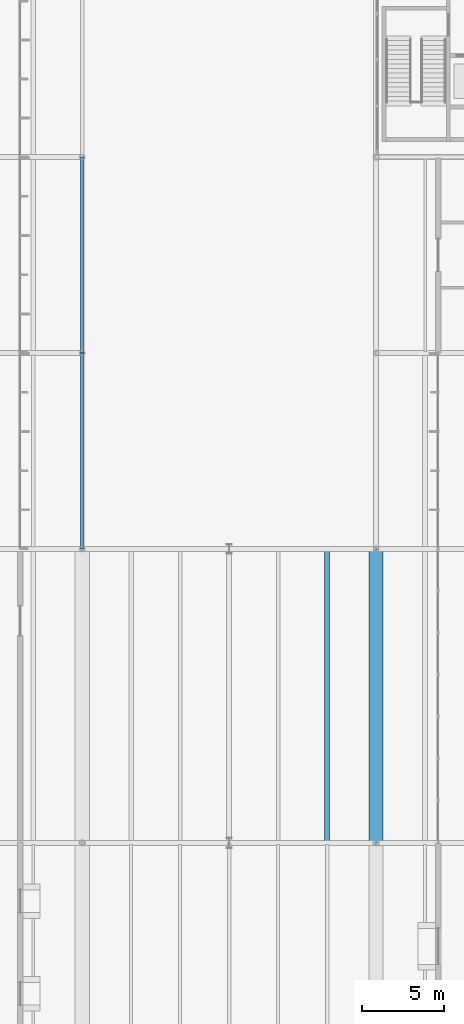
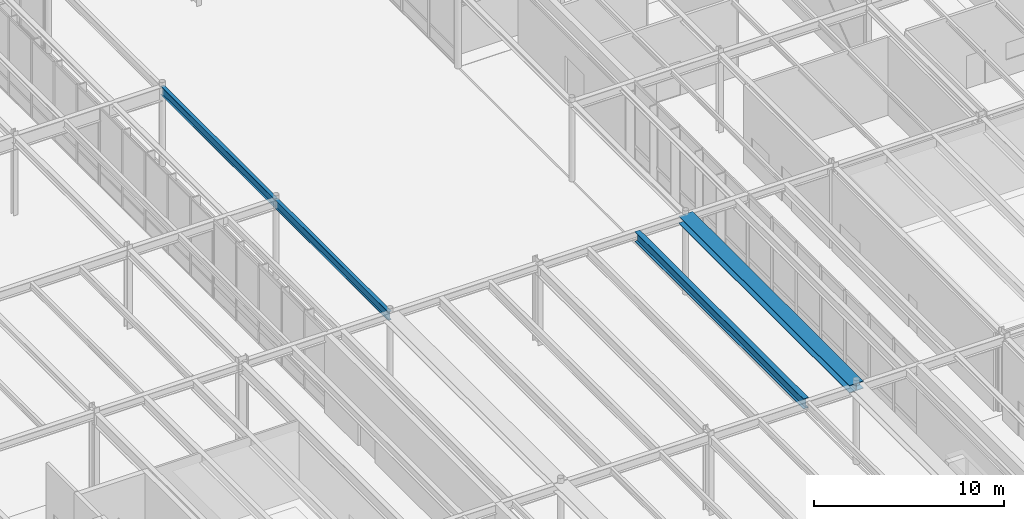
# One storey, part 45 of 143: 4 beams.
"""IFC4 building model written with IfcOpenShell, lengths in metres."""

from ifc_helpers import new_model, si_unit, direction, frame, origin, origin_2d, place, context, subcontext, project, spatial, i_section, extrude, material, material_profile, profile_set, type_object, element, save


model = new_model("IFC4")

# Units and contexts
model_context = context("Model", 3, precision=1e-05, world=origin(), true_north=direction((0.0, 1.0)))
body_context = subcontext(model_context, "Body", "Model", "MODEL_VIEW")
ifc_project = project(units=[si_unit("LENGTHUNIT", "METRE"), si_unit("AREAUNIT", "SQUARE_METRE"), si_unit("VOLUMEUNIT", "CUBIC_METRE"), si_unit("PLANEANGLEUNIT", "RADIAN"), si_unit("MASSUNIT", "GRAM", prefix="KILO")], contexts=[model_context])

# Site, building, storey
site_placement = place(None, origin())
site = spatial("IfcSite", under=ifc_project, at=site_placement, CompositionType="ELEMENT")
building_placement = place(site_placement, origin())
building = spatial("IfcBuilding", under=site, at=building_placement, Name="Montelvaro Courts of Justice", CompositionType="ELEMENT")
storey_placement = place(building_placement, origin())
storey = spatial("IfcBuildingStorey", under=building, at=storey_placement, Name="L00", CompositionType="ELEMENT", Elevation=0.0)

# Beams
ifc_material = material(Name="Steel S355", Category="steel")
ifc_material_profile_1 = material_profile(ifc_material, i_section(OverallWidth=0.300048828125, OverallDepth=0.64990234375, WebThickness=0.01611328125, FlangeThickness=0.031005859375, at=origin_2d()), Name="HEB 650")
ifc_profile_set_1 = profile_set([ifc_material_profile_1], Name="Steel S355")
beam_type_1 = type_object("IfcBeamType", Name="Beam_HEB650", PredefinedType="USERDEFINED", material=ifc_profile_set_1)
beam_1_placement = place(storey_placement, frame((96.0, 24.110107421875, 4.81494140625), z_axis=(0.0, 1.0, 0.0), x_axis=(-1.0, 0.0, 0.0)))
element("IfcBeam", 1, at=beam_1_placement, inside=storey, type_object=beam_type_1, Name="Beam B-27 L00", ObjectType="GIRDER", PredefinedType="USERDEFINED", context=body_context, shape_type="SweptSolid", body=[
    extrude(i_section(OverallWidth=0.300048828125, OverallDepth=0.64990234375, WebThickness=0.01611328125, FlangeThickness=0.031005859375, at=origin_2d()), origin(), (0.0, 0.0, 1.0), 17.77978515625),
])
ifc_material_profile_2 = material_profile(ifc_material, i_section(OverallWidth=0.2099609375, OverallDepth=0.550048828125, WebThickness=0.010986328125, FlangeThickness=0.01708984375, at=origin_2d()), Name="IPE 550")
ifc_profile_set_2 = profile_set([ifc_material_profile_2], Name="Steel S355")
beam_type_2 = type_object("IfcBeamType", Name="Beam_IPE550", PredefinedType="BEAM", material=ifc_profile_set_2)
for number, where, z_axis, x_axis, name in (
    (2, (81.0, 42.0, 4.844970703125), (0.0, 1.0, 0.0), (-1.0, 0.0, 0.0), "Beam B-11 L00"),
    (3, (81.0, 54.0, 4.844970703125), (0.0, 1.0, 0.0), (-1.0, 0.0, 0.0), "Beam B-11 L00"),
):
    element("IfcBeam", number, at=place(storey_placement, frame(where, z_axis=z_axis, x_axis=x_axis)), inside=storey, type_object=beam_type_2, Name=name, PredefinedType="BEAM", context=body_context, shape_type="SweptSolid", body=[
        extrude(i_section(OverallWidth=0.2099609375, OverallDepth=0.550048828125, WebThickness=0.010986328125, FlangeThickness=0.01708984375, at=origin_2d()), origin(), (0.0, 0.0, 1.0), 12.0),
    ])
ifc_material_profile_3 = material_profile(ifc_material, i_section(OverallWidth=0.860107421875, OverallDepth=0.47998046875, WebThickness=0.02001953125, FlangeThickness=0.031982421875, at=origin_2d()), Name="HL 480x860")
ifc_profile_set_3 = profile_set([ifc_material_profile_3], Name="Steel S355")
beam_type_3 = type_object("IfcBeamType", Name="Beam_MJSeat_860", PredefinedType="USERDEFINED", material=ifc_profile_set_3)
beam_2_placement = place(storey_placement, frame((99.0, 24.0, 4.8798828125), z_axis=(0.0, 1.0, 0.0), x_axis=(-1.0, 0.0, 0.0)))
element("IfcBeam", 4, at=beam_2_placement, inside=storey, type_object=beam_type_3, Name="Beam BC-01 L00", ObjectType="GIRDER", PredefinedType="USERDEFINED", context=body_context, shape_type="SweptSolid", body=[
    extrude(i_section(OverallWidth=0.860107421875, OverallDepth=0.47998046875, WebThickness=0.02001953125, FlangeThickness=0.031982421875, at=origin_2d()), origin(), (0.0, 0.0, 1.0), 18.0),
])

save(model, "model.ifc")
